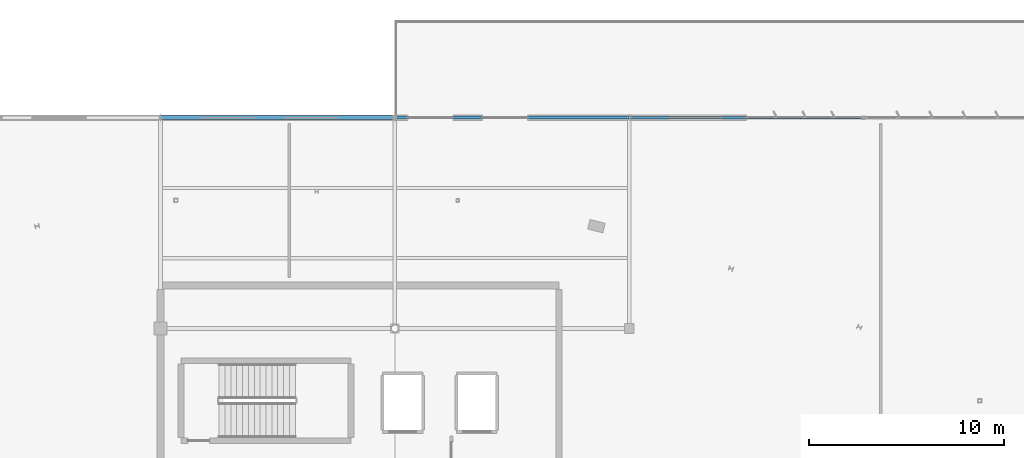
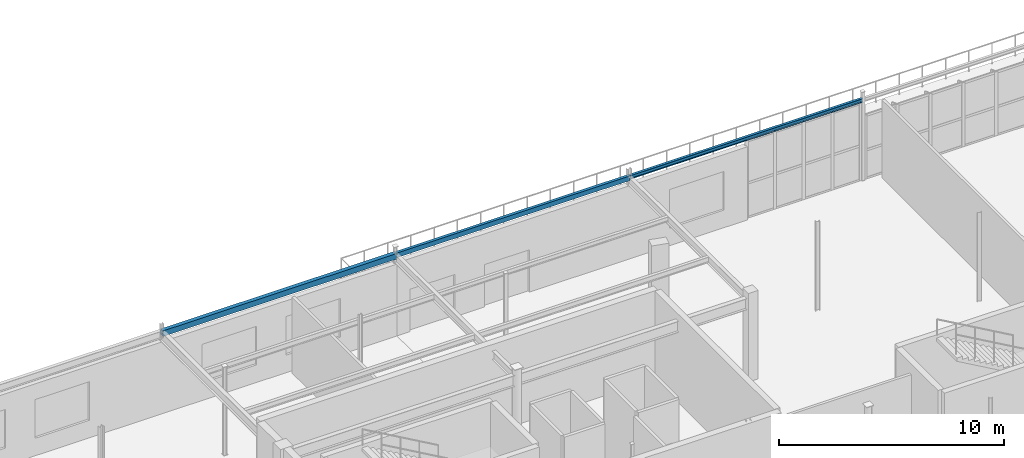
# One storey, part 113 of 199: 3 beams.
"""IFC4 building model written with IfcOpenShell, lengths in metres."""

from ifc_helpers import new_model, si_unit, direction, frame, origin, origin_2d, place, context, subcontext, project, spatial, hollow_rectangle, i_section, extrude, material, material_profile, profile_set, type_object, element, save


model = new_model("IFC4")

# Units and contexts
model_context = context("Model", 3, precision=1e-05, world=origin(), true_north=direction((0.0, 1.0)))
body_context = subcontext(model_context, "Body", "Model", "MODEL_VIEW")
ifc_project = project(units=[si_unit("LENGTHUNIT", "METRE"), si_unit("AREAUNIT", "SQUARE_METRE"), si_unit("VOLUMEUNIT", "CUBIC_METRE"), si_unit("PLANEANGLEUNIT", "RADIAN"), si_unit("MASSUNIT", "GRAM", prefix="KILO")], contexts=[model_context])

# Site, building, storey
site_placement = place(None, origin())
site = spatial("IfcSite", under=ifc_project, at=site_placement, CompositionType="ELEMENT")
building_placement = place(site_placement, origin())
building = spatial("IfcBuilding", under=site, at=building_placement, Name="Tarnwether General Hospital", CompositionType="ELEMENT")
storey_placement = place(building_placement, origin())
storey = spatial("IfcBuildingStorey", under=building, at=storey_placement, Name="L00", CompositionType="ELEMENT", Elevation=0.0)

# Beams
ifc_material_1 = material(Name="Steel Grade C350L0 (350 MPa)", Category="steel")
ifc_material_profile_1 = material_profile(ifc_material_1, hollow_rectangle(XDim=0.199951171875, YDim=0.300048828125, WallThickness=0.012451171875, at=origin_2d()), Name="RHS300x200x12.5")
ifc_profile_set_1 = profile_set([ifc_material_profile_1], Name="Steel Grade C350L0 (350 MPa)")
beam_type_1 = type_object("IfcBeamType", Name="BM-SP3", PredefinedType="SPANDREL", material=ifc_profile_set_1)
beam_1_placement = place(storey_placement, frame((84.0, 126.0, 4.294921875), z_axis=(1.0, 0.0, 0.0), x_axis=(0.0, 1.0, 0.0)))
element("IfcBeam", 1, at=beam_1_placement, inside=storey, type_object=beam_type_1, Name="Primary Girder BMG-L00-8400_12600-9600_12600-0732", PredefinedType="SPANDREL", context=body_context, shape_type="SweptSolid", body=[
    extrude(hollow_rectangle(XDim=0.199951171875, YDim=0.300048828125, WallThickness=0.012451171875, at=origin_2d()), origin(), (0.0, 0.0, 1.0), 12.0),
])
ifc_material_2 = material(Name="Steel Grade C350L0 (350 MPa)", Category="steel")
ifc_material_profile_2 = material_profile(ifc_material_2, hollow_rectangle(XDim=0.14990234375, YDim=0.25, WallThickness=0.010009765625, at=origin_2d()), Name="RHS250x150x10")
ifc_profile_set_2 = profile_set([ifc_material_profile_2], Name="Steel Grade C350L0 (350 MPa)")
beam_type_2 = type_object("IfcBeamType", Name="BM-SP4", PredefinedType="SPANDREL", material=ifc_profile_set_2)
beam_2_placement = place(storey_placement, frame((96.0, 126.0, 4.320068359375), z_axis=(1.0, 0.0, 0.0), x_axis=(0.0, 1.0, 0.0)))
element("IfcBeam", 2, at=beam_2_placement, inside=storey, type_object=beam_type_2, Name="Primary Girder BMG-L00-9600_12600-10800_12600-0744", PredefinedType="SPANDREL", context=body_context, shape_type="SweptSolid", body=[
    extrude(hollow_rectangle(XDim=0.14990234375, YDim=0.25, WallThickness=0.010009765625, at=origin_2d()), origin(), (0.0, 0.0, 1.0), 12.0),
])
ifc_material_3 = material(Name="Steel Grade 350 (350 MPa)", Category="steel")
ifc_material_profile_3 = material_profile(ifc_material_3, i_section(OverallWidth=0.133056640625, OverallDepth=0.202880859375, WebThickness=0.005859375, FlangeThickness=0.0078125, at=origin_2d()), Name="200UB25.4")
ifc_profile_set_3 = profile_set([ifc_material_profile_3], Name="Steel Grade 350 (350 MPa)")
beam_type_3 = type_object("IfcBeamType", Name="BM-SP5", PredefinedType="SPANDREL", material=ifc_profile_set_3)
beam_3_placement = place(storey_placement, frame((108.0, 126.0, 4.343505859375), z_axis=(1.0, 0.0, 0.0), x_axis=(0.0, 1.0, 0.0)))
element("IfcBeam", 3, at=beam_3_placement, inside=storey, type_object=beam_type_3, Name="Primary Girder BMG-L00-10800_12600-12000_12600-0757", PredefinedType="SPANDREL", context=body_context, shape_type="SweptSolid", body=[
    extrude(i_section(OverallWidth=0.133056640625, OverallDepth=0.202880859375, WebThickness=0.005859375, FlangeThickness=0.0078125, at=origin_2d()), origin(), (0.0, 0.0, 1.0), 12.0),
])

save(model, "model.ifc")
